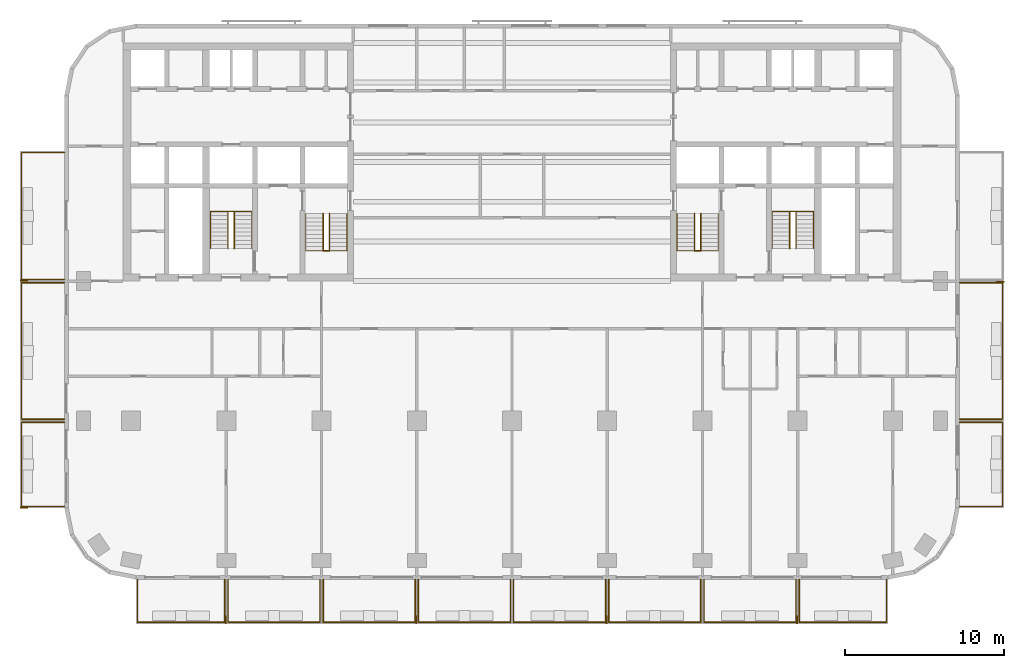
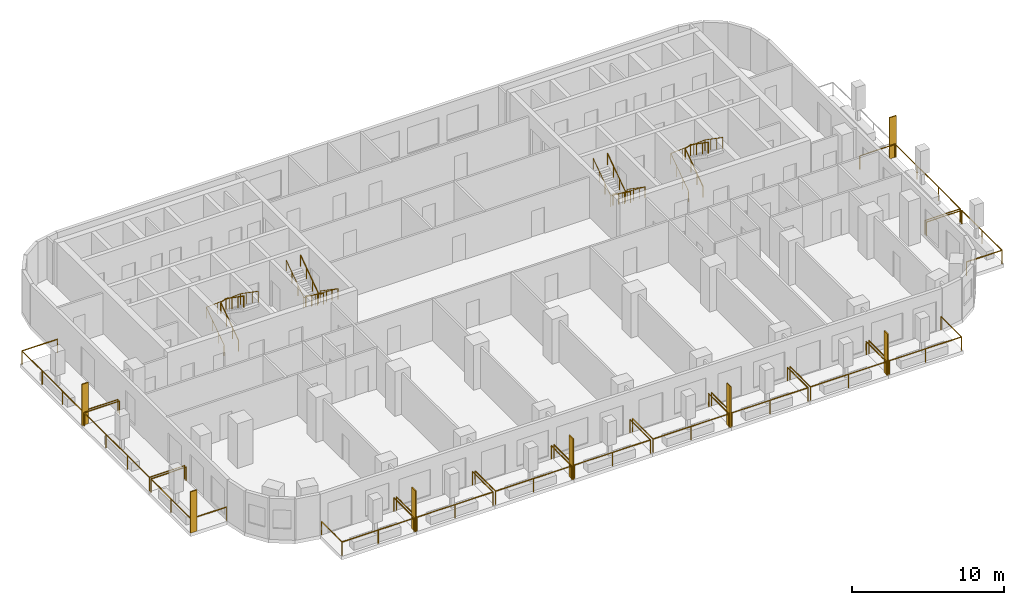
# One storey, part 10 of 12: 21 railings, 7 shading devices.
"""IFC4 building model written with IfcOpenShell, lengths in metres."""

import ifcopenshell
import ifcopenshell.guid

model = None  # the IFC model being written
_history = None  # IfcOwnerHistory: only IFC2X3 demands one
_inside = {}  # id of a spatial element -> (the spatial element, [elements in it])
_under = {}  # id of a project, library or spatial element -> (it, [spatial elements below it])
_declared = {}  # id of a project -> (the project, [libraries it declares])
_typed = {}  # id of a type object -> (the type object, [elements of that type])
_made_of = {}  # id of a material, layer set ... -> (it, [elements and type objects made of it])


def new_model(schema):
    """Start an empty IFC model of exactly this schema.

    Asked for "IFC4X3", IfcOpenShell would pick the latest addendum, in which some entities
    have other attributes; the version numbers below select the first issue.
    IFC2X3 requires an IfcOwnerHistory on every rooted entity: one is made here for all.
    """
    global model, _history
    if schema == "IFC4X3":
        model = ifcopenshell.file(schema_version=(4, 3, 0, 0))
    else:
        model = ifcopenshell.file(schema=schema)
    _inside.clear()
    _under.clear()
    _declared.clear()
    _typed.clear()
    _made_of.clear()
    _history = None
    if model.schema == "IFC2X3":
        org = make("IfcOrganization", Name="unknown")
        user = make(
            "IfcPersonAndOrganization",
            ThePerson=make("IfcPerson", FamilyName="unknown"),
            TheOrganization=org,
        )
        app = make(
            "IfcApplication",
            ApplicationDeveloper=org,
            Version="unknown",
            ApplicationFullName="unknown",
            ApplicationIdentifier="unknown",
        )
        _history = make(
            "IfcOwnerHistory",
            OwningUser=user,
            OwningApplication=app,
            ChangeAction="ADDED",
            CreationDate=0,
        )
    return model


def make(cls, **values):
    """One entity of the class cls with the attributes given. An attribute that is None is left unset."""
    return model.create_entity(
        cls, **{name: value for name, value in values.items() if value is not None}
    )


def rooted(cls, **values):
    """An entity with a GlobalId (a new one), such as an element, a storey or a relation."""
    return make(cls, GlobalId=ifcopenshell.guid.new(), OwnerHistory=_history, **values)


def si_unit(unit_type, name, prefix=None):
    """IfcSIUnit, for example si_unit("LENGTHUNIT", "METRE", prefix="MILLI")."""
    return make("IfcSIUnit", UnitType=unit_type, Prefix=prefix, Name=name)


def assignment(units):
    """IfcUnitAssignment: the units of a project."""
    return None if units is None else make("IfcUnitAssignment", Units=units)


def point(xyz):
    """IfcCartesianPoint."""
    return None if xyz is None else make("IfcCartesianPoint", Coordinates=xyz)


def direction(xyz):
    """IfcDirection."""
    return None if xyz is None else make("IfcDirection", DirectionRatios=xyz)


def frame(location, z_axis=None, x_axis=None):
    """IfcAxis2Placement3D, a coordinate frame: its origin and axes. An axis left out is left unset."""
    return make(
        "IfcAxis2Placement3D",
        Location=point(location),
        Axis=direction(z_axis),
        RefDirection=direction(x_axis),
    )


def frame_2d(location, x_axis=None):
    """IfcAxis2Placement2D, a coordinate frame in the plane: its origin and x axis."""
    return make(
        "IfcAxis2Placement2D", Location=point(location), RefDirection=direction(x_axis)
    )


def origin():
    """The frame at (0, 0, 0) with its axes left unset."""
    return frame((0.0, 0.0, 0.0))


def origin_2d():
    """The frame at (0, 0) in the plane with its x axis left unset."""
    return frame_2d((0.0, 0.0))


def place(relative_to, where):
    """IfcLocalPlacement: puts the frame where relative to a parent placement (None: the world)."""
    return make(
        "IfcLocalPlacement", PlacementRelTo=relative_to, RelativePlacement=where
    )


def context(
    kind, dimensions, precision=None, world=None, true_north=None, identifier=None
):
    """IfcGeometricRepresentationContext, for example the 3D "Model" context."""
    return make(
        "IfcGeometricRepresentationContext",
        ContextIdentifier=identifier,
        ContextType=kind,
        CoordinateSpaceDimension=dimensions,
        Precision=precision,
        WorldCoordinateSystem=world,
        TrueNorth=true_north,
    )


def subcontext(parent, identifier, kind, view, scale=None):
    """IfcGeometricRepresentationSubContext, for example "Body" below "Model"."""
    return make(
        "IfcGeometricRepresentationSubContext",
        ContextIdentifier=identifier,
        ContextType=kind,
        ParentContext=parent,
        TargetScale=scale,
        TargetView=view,
    )


def project(units=None, contexts=None):
    """IfcProject with its units and contexts."""
    return rooted(
        "IfcProject",
        Name="project",
        RepresentationContexts=contexts,
        UnitsInContext=assignment(units),
    )


def spatial(cls, under=None, at=None, **own):
    """A site, building, storey or space (cls), placed at a placement, below another one or the project."""
    s = rooted(cls, ObjectPlacement=at, **own)
    if under is not None:
        _under.setdefault(under.id(), (under, []))[1].append(s)
    return s


def profile(cls, at=None, kind="AREA", **sizes):
    """A parametric profile (cls). Its sizes go by their IFC names, for example OverallWidth=200.0."""
    return make(cls, ProfileType=kind, Position=at, **sizes)


def rectangle(**sizes):
    """IfcRectangleProfileDef."""
    return profile("IfcRectangleProfileDef", **sizes)


def circle(**sizes):
    """IfcCircleProfileDef."""
    return profile("IfcCircleProfileDef", **sizes)


def extrude(swept, where, along, depth):
    """IfcExtrudedAreaSolid: the profile swept, set in the frame where, extruded along a direction by depth."""
    return make(
        "IfcExtrudedAreaSolid",
        SweptArea=swept,
        Position=where,
        ExtrudedDirection=direction(along),
        Depth=depth,
    )


def shape(context_of_items, identifier, shape_type, items):
    """IfcShapeRepresentation: the items that make up one representation, for example the "Body"."""
    return make(
        "IfcShapeRepresentation",
        ContextOfItems=context_of_items,
        RepresentationIdentifier=identifier,
        RepresentationType=shape_type,
        Items=items,
    )


def material(Name=None, Category=None):
    """IfcMaterial."""
    return make("IfcMaterial", Name=Name, Category=Category)


def layer(
    of_material, thickness, ventilated=None, Name=None, Category=None, Priority=None
):
    """IfcMaterialLayer: one layer of a wall or slab, of a material (None: an air gap)."""
    return make(
        "IfcMaterialLayer",
        Material=of_material,
        LayerThickness=thickness,
        IsVentilated=ventilated,
        Name=Name,
        Category=Category,
        Priority=Priority,
    )


def layer_set(layers, Name=None):
    """IfcMaterialLayerSet."""
    return make("IfcMaterialLayerSet", MaterialLayers=layers, LayerSetName=Name)


def made_of(thing, what):
    """Note that an element or type object is made of a material, layer set ...; save() writes the relation."""
    if what is not None:
        _made_of.setdefault(what.id(), (what, []))[1].append(thing)
    return thing


def type_object(cls, material=None, **own):
    """A type object (cls), such as IfcWallType, which elements share."""
    return made_of(rooted(cls, **own), material)


def element(
    cls,
    number,
    at=None,
    inside=None,
    cuts=None,
    type_object=None,
    material=None,
    context=None,
    identifier="Body",
    shape_type=None,
    held_by="IfcProductDefinitionShape",
    body=None,
    shapes=None,
    **own,
):
    """One element of the class cls, such as IfcWall. Its Tag is "e" and its number.

    at: its placement. inside: the storey or other place that contains it. cuts: it is an
    opening in that element (IfcRelVoidsElement). A single representation is given by context,
    identifier, shape_type and body (its items); several are given by shapes. held_by: the class
    of the entity that holds the representations. save() writes the other relations.
    """
    e = rooted(cls, Tag="e%d" % number, ObjectPlacement=at, **own)
    if body is not None:
        shapes = [shape(context, identifier, shape_type, body)]
    if shapes is not None:
        e.Representation = make(held_by, Representations=shapes)
    if inside is not None:
        _inside.setdefault(inside.id(), (inside, []))[1].append(e)
    if cuts is not None:
        rooted(
            "IfcRelVoidsElement", RelatingBuildingElement=cuts, RelatedOpeningElement=e
        )
    if type_object is not None:
        _typed.setdefault(type_object.id(), (type_object, []))[1].append(e)
    return made_of(e, material)


def aggregate(whole, parts):
    """IfcRelAggregates: a whole, such as a stair, and the parts it consists of."""
    return rooted("IfcRelAggregates", RelatingObject=whole, RelatedObjects=parts)


def save(model, path):
    """Write the relations noted so far, then the file.

    IfcRelAggregates (storeys below a building ...), IfcRelContainedInSpatialStructure (elements
    in a storey), IfcRelDefinesByType, IfcRelAssociatesMaterial and IfcRelDeclares: one each for
    every whole, place, type object, material and project.
    """
    for whole, parts in _under.values():
        aggregate(whole, parts)
    for where, things in _inside.values():
        rooted(
            "IfcRelContainedInSpatialStructure",
            RelatedElements=things,
            RelatingStructure=where,
        )
    for kind, things in _typed.values():
        rooted("IfcRelDefinesByType", RelatedObjects=things, RelatingType=kind)
    for what, things in _made_of.values():
        rooted("IfcRelAssociatesMaterial", RelatedObjects=things, RelatingMaterial=what)
    for by, libraries in _declared.values():
        rooted("IfcRelDeclares", RelatingContext=by, RelatedDefinitions=libraries)
    model.write(path)


model = new_model("IFC4")

# Units and contexts
model_context = context("Model", 3, precision=1e-05, world=origin(), true_north=direction((0.0, 1.0)))
body_context = subcontext(model_context, "Body", "Model", "MODEL_VIEW")
ifc_project = project(units=[si_unit("LENGTHUNIT", "METRE"), si_unit("AREAUNIT", "SQUARE_METRE"), si_unit("VOLUMEUNIT", "CUBIC_METRE"), si_unit("PLANEANGLEUNIT", "RADIAN"), si_unit("MASSUNIT", "GRAM", prefix="KILO")], contexts=[model_context])

# Site, building, storey
site_placement = place(None, origin())
site = spatial("IfcSite", under=ifc_project, at=site_placement, CompositionType="ELEMENT")
building_placement = place(site_placement, origin())
building = spatial("IfcBuilding", under=site, at=building_placement, Name="Torana Hotel and Residences", CompositionType="ELEMENT")
storey_placement = place(building_placement, frame((0.0, 0.0, 159.60009765625)))
storey = spatial("IfcBuildingStorey", under=building, at=storey_placement, Name="L41", CompositionType="ELEMENT", Elevation=159.60009765625)

# Shading devices
ifc_material_1 = material(Name="Black powder coated aluminium", Category="aluminium")
ifc_layer = layer(ifc_material_1, 0.080078125)
ifc_layer_set = layer_set([ifc_layer], Name="FN1 VERTICAL FIN 500x80")
shading_device_type = type_object("IfcShadingDeviceType", Name="FN1 VERTICAL FIN 500x80", PredefinedType="USERDEFINED", material=ifc_layer_set)
for number, where, z_axis, x_axis, name in (
    (1, (-18.0400390625, -36.35009765625, 0.0), (0.0, 0.0, 1.0), (-1.0, 0.0, 0.0), "Fin 01"),
    (2, (-6.0400390625, -36.35009765625, 0.0), (0.0, 0.0, 1.0), (-1.0, 0.0, 0.0), "Fin 03"),
    (3, (5.9599609375, -36.35009765625, 0.0), (0.0, 0.0, 1.0), (-1.0, 0.0, 0.0), "Fin 05"),
    (4, (17.9599609375, -36.35009765625, 0.0), (0.0, 0.0, 1.0), (-1.0, 0.0, 0.0), "Fin 07"),
    (5, (-30.75, -29.260009765625, 0.0), (0.0, 0.0, 1.0), (0.0, 1.0, 0.0), "Fin 09"),
    (6, (-30.75, -14.9599609375, 0.0), (0.0, 0.0, 1.0), (0.0, 1.0, 0.0), "Fin 11"),
    (7, (30.75, -15.0400390625, 0.0), (0.0, 0.0, 1.0), (0.0, -1.0, 0.0), "Fin 13"),
):
    element("IfcShadingDevice", number, at=place(storey_placement, frame(where, z_axis=z_axis, x_axis=x_axis)), inside=storey, type_object=shading_device_type, Name=name, ObjectType="FIN", PredefinedType="USERDEFINED", context=body_context, shape_type="SweptSolid", body=[
        extrude(rectangle(XDim=0.080078125, YDim=0.5, at=origin_2d()), origin(), (0.0, 0.0, 1.0), 3.320068359375),
    ])

# Railings
ifc_material_2 = material(Name="Laminated glass balustrade with black handrail", Category="glass")
railing_type_1 = type_object("IfcRailingType", Name="GR1 BALCONY GUARD 1100 GLASS", PredefinedType="GUARDRAIL", material=ifc_material_2)
railing_1_placement = place(storey_placement, frame((-18.10009765625, -33.800048828125, 0.0)))
element("IfcRailing", 8, at=railing_1_placement, inside=storey, type_object=railing_type_1, Name="Balcony guard 01", PredefinedType="GUARDRAIL", context=body_context, shape_type="SweptSolid", body=[
    extrude(circle(Radius=0.02392578125, at=origin_2d()), frame((0.0, 0.0, 1.076171875), z_axis=(0.0, -1.0, 0.0), x_axis=(1.0, 0.0, 0.0)), (0.0, 0.0, 1.0), 2.699951171875),
    extrude(circle(Radius=0.02392578125, at=origin_2d()), frame((0.0, -2.699951171875, 1.076171875), z_axis=(-1.0, 0.0, 0.0), x_axis=(0.0, -1.0, 0.0)), (0.0, 0.0, 1.0), 5.5),
    extrude(circle(Radius=0.02392578125, at=origin_2d()), frame((-5.5, -2.699951171875, 1.076171875), z_axis=(0.0, 1.0, 0.0), x_axis=(-1.0, 0.0, 0.0)), (0.0, 0.0, 1.0), 2.699951171875),
    extrude(circle(Radius=0.02099609375, at=origin_2d()), origin(), (0.0, 0.0, 1.0), 1.052001953125),
    extrude(circle(Radius=0.02099609375, at=origin_2d()), frame((0.0, -2.699951171875, 0.0)), (0.0, 0.0, 1.0), 1.052001953125),
    extrude(circle(Radius=0.02099609375, at=origin_2d()), frame((-2.75, -2.699951171875, 0.0)), (0.0, 0.0, 1.0), 1.052001953125),
    extrude(circle(Radius=0.02099609375, at=origin_2d()), frame((-5.5, -2.699951171875, 0.0)), (0.0, 0.0, 1.0), 1.052001953125),
    extrude(circle(Radius=0.02099609375, at=origin_2d()), frame((-5.5, 0.0, 0.0)), (0.0, 0.0, 1.0), 1.052001953125),
])
for number, where, name in (
    (9, (-12.10009765625, -33.800048828125, 0.0), "Balcony guard 02"),
    (10, (-6.10009765625, -33.800048828125, 0.0), "Balcony guard 03"),
    (11, (-0.10009765625, -33.800048828125, 0.0), "Balcony guard 04"),
    (12, (5.89990234375, -33.800048828125, 0.0), "Balcony guard 05"),
    (13, (11.89990234375, -33.800048828125, 0.0), "Balcony guard 06"),
    (14, (17.89990234375, -33.800048828125, 0.0), "Balcony guard 07"),
):
    element("IfcRailing", number, at=place(storey_placement, frame(where)), inside=storey, type_object=railing_type_1, Name=name, PredefinedType="GUARDRAIL", context=body_context, shape_type="SweptSolid", body=[
        extrude(circle(Radius=0.02392578125, at=origin_2d()), frame((0.0, 0.0, 1.076171875), z_axis=(0.0, -1.0, 0.0), x_axis=(1.0, 0.0, 0.0)), (0.0, 0.0, 1.0), 2.699951171875),
        extrude(circle(Radius=0.02392578125, at=origin_2d()), frame((0.0, -2.699951171875, 1.076171875), z_axis=(-1.0, 0.0, 0.0), x_axis=(0.0, -1.0, 0.0)), (0.0, 0.0, 1.0), 5.7998046875),
        extrude(circle(Radius=0.02392578125, at=origin_2d()), frame((-5.7998046875, -2.699951171875, 1.076171875), z_axis=(0.0, 1.0, 0.0), x_axis=(-1.0, 0.0, 0.0)), (0.0, 0.0, 1.0), 2.699951171875),
        extrude(circle(Radius=0.02099609375, at=origin_2d()), origin(), (0.0, 0.0, 1.0), 1.052001953125),
        extrude(circle(Radius=0.02099609375, at=origin_2d()), frame((0.0, -2.699951171875, 0.0)), (0.0, 0.0, 1.0), 1.052001953125),
        extrude(circle(Radius=0.02099609375, at=origin_2d()), frame((-2.89990234375, -2.699951171875, 0.0)), (0.0, 0.0, 1.0), 1.052001953125),
        extrude(circle(Radius=0.02099609375, at=origin_2d()), frame((-5.7998046875, -2.699951171875, 0.0)), (0.0, 0.0, 1.0), 1.052001953125),
        extrude(circle(Radius=0.02099609375, at=origin_2d()), frame((-5.7998046875, 0.0, 0.0)), (0.0, 0.0, 1.0), 1.052001953125),
    ])
railing_2_placement = place(storey_placement, frame((23.60009765625, -33.800048828125, 0.0)))
element("IfcRailing", 15, at=railing_2_placement, inside=storey, type_object=railing_type_1, Name="Balcony guard 08", PredefinedType="GUARDRAIL", context=body_context, shape_type="SweptSolid", body=[
    extrude(circle(Radius=0.02392578125, at=origin_2d()), frame((0.0, 0.0, 1.076171875), z_axis=(0.0, -1.0, 0.0), x_axis=(1.0, 0.0, 0.0)), (0.0, 0.0, 1.0), 2.699951171875),
    extrude(circle(Radius=0.02392578125, at=origin_2d()), frame((0.0, -2.699951171875, 1.076171875), z_axis=(-1.0, 0.0, 0.0), x_axis=(0.0, -1.0, 0.0)), (0.0, 0.0, 1.0), 5.5),
    extrude(circle(Radius=0.02392578125, at=origin_2d()), frame((-5.5, -2.699951171875, 1.076171875), z_axis=(0.0, 1.0, 0.0), x_axis=(-1.0, 0.0, 0.0)), (0.0, 0.0, 1.0), 2.699951171875),
    extrude(circle(Radius=0.02099609375, at=origin_2d()), origin(), (0.0, 0.0, 1.0), 1.052001953125),
    extrude(circle(Radius=0.02099609375, at=origin_2d()), frame((0.0, -2.699951171875, 0.0)), (0.0, 0.0, 1.0), 1.052001953125),
    extrude(circle(Radius=0.02099609375, at=origin_2d()), frame((-2.75, -2.699951171875, 0.0)), (0.0, 0.0, 1.0), 1.052001953125),
    extrude(circle(Radius=0.02099609375, at=origin_2d()), frame((-5.5, -2.699951171875, 0.0)), (0.0, 0.0, 1.0), 1.052001953125),
    extrude(circle(Radius=0.02099609375, at=origin_2d()), frame((-5.5, 0.0, 0.0)), (0.0, 0.0, 1.0), 1.052001953125),
])
railing_3_placement = place(storey_placement, frame((-28.199951171875, -29.199951171875, 0.0)))
element("IfcRailing", 16, at=railing_3_placement, inside=storey, type_object=railing_type_1, Name="Balcony guard 09", PredefinedType="GUARDRAIL", context=body_context, shape_type="SweptSolid", body=[
    extrude(circle(Radius=0.02392578125, at=origin_2d()), frame((0.0, 0.0, 1.076171875), z_axis=(-1.0, 0.0, 0.0), x_axis=(0.0, -1.0, 0.0)), (0.0, 0.0, 1.0), 2.699951171875),
    extrude(circle(Radius=0.02392578125, at=origin_2d()), frame((-2.699951171875, 0.0, 1.076171875), z_axis=(0.0, 1.0, 0.0), x_axis=(-1.0, 0.0, 0.0)), (0.0, 0.0, 1.0), 5.300048828125),
    extrude(circle(Radius=0.02392578125, at=origin_2d()), frame((-2.699951171875, 5.300048828125, 1.076171875), z_axis=(1.0, 0.0, 0.0), x_axis=(0.0, 1.0, 0.0)), (0.0, 0.0, 1.0), 2.699951171875),
    extrude(circle(Radius=0.02099609375, at=origin_2d()), origin(), (0.0, 0.0, 1.0), 1.052001953125),
    extrude(circle(Radius=0.02099609375, at=origin_2d()), frame((-2.699951171875, 0.0, 0.0)), (0.0, 0.0, 1.0), 1.052001953125),
    extrude(circle(Radius=0.02099609375, at=origin_2d()), frame((-2.699951171875, 2.64990234375, 0.0)), (0.0, 0.0, 1.0), 1.052001953125),
    extrude(circle(Radius=0.02099609375, at=origin_2d()), frame((-2.699951171875, 5.300048828125, 0.0)), (0.0, 0.0, 1.0), 1.052001953125),
    extrude(circle(Radius=0.02099609375, at=origin_2d()), frame((0.0, 5.300048828125, 0.0)), (0.0, 0.0, 1.0), 1.052001953125),
])
railing_4_placement = place(storey_placement, frame((-28.199951171875, -23.699951171875, 0.0)))
element("IfcRailing", 17, at=railing_4_placement, inside=storey, type_object=railing_type_1, Name="Balcony guard 10", PredefinedType="GUARDRAIL", context=body_context, shape_type="SweptSolid", body=[
    extrude(circle(Radius=0.02392578125, at=origin_2d()), frame((0.0, 0.0, 1.076171875), z_axis=(-1.0, 0.0, 0.0), x_axis=(0.0, -1.0, 0.0)), (0.0, 0.0, 1.0), 2.699951171875),
    extrude(circle(Radius=0.02392578125, at=origin_2d()), frame((-2.699951171875, 0.0, 1.076171875), z_axis=(0.0, 1.0, 0.0), x_axis=(-1.0, 0.0, 0.0)), (0.0, 0.0, 1.0), 8.599853515625),
    extrude(circle(Radius=0.02392578125, at=origin_2d()), frame((-2.699951171875, 8.599853515625, 1.076171875), z_axis=(1.0, 0.0, 0.0), x_axis=(0.0, 1.0, 0.0)), (0.0, 0.0, 1.0), 2.699951171875),
    extrude(circle(Radius=0.02099609375, at=origin_2d()), origin(), (0.0, 0.0, 1.0), 1.052001953125),
    extrude(circle(Radius=0.02099609375, at=origin_2d()), frame((-2.699951171875, 0.0, 0.0)), (0.0, 0.0, 1.0), 1.052001953125),
    extrude(circle(Radius=0.02099609375, at=origin_2d()), frame((-2.699951171875, 2.86669921875, 0.0)), (0.0, 0.0, 1.0), 1.052001953125),
    extrude(circle(Radius=0.02099609375, at=origin_2d()), frame((-2.699951171875, 5.733154296875, 0.0)), (0.0, 0.0, 1.0), 1.052001953125),
    extrude(circle(Radius=0.02099609375, at=origin_2d()), frame((-2.699951171875, 8.599853515625, 0.0)), (0.0, 0.0, 1.0), 1.052001953125),
    extrude(circle(Radius=0.02099609375, at=origin_2d()), frame((0.0, 8.599853515625, 0.0)), (0.0, 0.0, 1.0), 1.052001953125),
])
railing_5_placement = place(storey_placement, frame((-28.199951171875, -14.89990234375, 0.0)))
element("IfcRailing", 18, at=railing_5_placement, inside=storey, type_object=railing_type_1, Name="Balcony guard 11", PredefinedType="GUARDRAIL", context=body_context, shape_type="SweptSolid", body=[
    extrude(circle(Radius=0.02392578125, at=origin_2d()), frame((0.0, 0.0, 1.076171875), z_axis=(-1.0, 0.0, 0.0), x_axis=(0.0, -1.0, 0.0)), (0.0, 0.0, 1.0), 2.699951171875),
    extrude(circle(Radius=0.02392578125, at=origin_2d()), frame((-2.699951171875, 0.0, 1.076171875), z_axis=(0.0, 1.0, 0.0), x_axis=(-1.0, 0.0, 0.0)), (0.0, 0.0, 1.0), 8.0),
    extrude(circle(Radius=0.02392578125, at=origin_2d()), frame((-2.699951171875, 8.0, 1.076171875), z_axis=(1.0, 0.0, 0.0), x_axis=(0.0, 1.0, 0.0)), (0.0, 0.0, 1.0), 2.699951171875),
    extrude(circle(Radius=0.02099609375, at=origin_2d()), origin(), (0.0, 0.0, 1.0), 1.052001953125),
    extrude(circle(Radius=0.02099609375, at=origin_2d()), frame((-2.699951171875, 0.0, 0.0)), (0.0, 0.0, 1.0), 1.052001953125),
    extrude(circle(Radius=0.02099609375, at=origin_2d()), frame((-2.699951171875, 2.666748046875, 0.0)), (0.0, 0.0, 1.0), 1.052001953125),
    extrude(circle(Radius=0.02099609375, at=origin_2d()), frame((-2.699951171875, 5.333251953125, 0.0)), (0.0, 0.0, 1.0), 1.052001953125),
    extrude(circle(Radius=0.02099609375, at=origin_2d()), frame((-2.699951171875, 8.0, 0.0)), (0.0, 0.0, 1.0), 1.052001953125),
    extrude(circle(Radius=0.02099609375, at=origin_2d()), frame((0.0, 8.0, 0.0)), (0.0, 0.0, 1.0), 1.052001953125),
])
railing_6_placement = place(storey_placement, frame((28.199951171875, -23.89990234375, 0.0)))
element("IfcRailing", 19, at=railing_6_placement, inside=storey, type_object=railing_type_1, Name="Balcony guard 12", PredefinedType="GUARDRAIL", context=body_context, shape_type="SweptSolid", body=[
    extrude(circle(Radius=0.02392578125, at=origin_2d()), frame((0.0, 0.0, 1.076171875), z_axis=(1.0, 0.0, 0.0), x_axis=(0.0, 1.0, 0.0)), (0.0, 0.0, 1.0), 2.699951171875),
    extrude(circle(Radius=0.02392578125, at=origin_2d()), frame((2.699951171875, 0.0, 1.076171875), z_axis=(0.0, -1.0, 0.0), x_axis=(1.0, 0.0, 0.0)), (0.0, 0.0, 1.0), 5.300048828125),
    extrude(circle(Radius=0.02392578125, at=origin_2d()), frame((2.699951171875, -5.300048828125, 1.076171875), z_axis=(-1.0, 0.0, 0.0), x_axis=(0.0, -1.0, 0.0)), (0.0, 0.0, 1.0), 2.699951171875),
    extrude(circle(Radius=0.02099609375, at=origin_2d()), origin(), (0.0, 0.0, 1.0), 1.052001953125),
    extrude(circle(Radius=0.02099609375, at=origin_2d()), frame((2.699951171875, 0.0, 0.0)), (0.0, 0.0, 1.0), 1.052001953125),
    extrude(circle(Radius=0.02099609375, at=origin_2d()), frame((2.699951171875, -2.64990234375, 0.0)), (0.0, 0.0, 1.0), 1.052001953125),
    extrude(circle(Radius=0.02099609375, at=origin_2d()), frame((2.699951171875, -5.300048828125, 0.0)), (0.0, 0.0, 1.0), 1.052001953125),
    extrude(circle(Radius=0.02099609375, at=origin_2d()), frame((0.0, -5.300048828125, 0.0)), (0.0, 0.0, 1.0), 1.052001953125),
])
railing_7_placement = place(storey_placement, frame((28.199951171875, -15.10009765625, 0.0)))
element("IfcRailing", 20, at=railing_7_placement, inside=storey, type_object=railing_type_1, Name="Balcony guard 13", PredefinedType="GUARDRAIL", context=body_context, shape_type="SweptSolid", body=[
    extrude(circle(Radius=0.02392578125, at=origin_2d()), frame((0.0, 0.0, 1.076171875), z_axis=(1.0, 0.0, 0.0), x_axis=(0.0, 1.0, 0.0)), (0.0, 0.0, 1.0), 2.699951171875),
    extrude(circle(Radius=0.02392578125, at=origin_2d()), frame((2.699951171875, 0.0, 1.076171875), z_axis=(0.0, -1.0, 0.0), x_axis=(1.0, 0.0, 0.0)), (0.0, 0.0, 1.0), 8.599853515625),
    extrude(circle(Radius=0.02392578125, at=origin_2d()), frame((2.699951171875, -8.599853515625, 1.076171875), z_axis=(-1.0, 0.0, 0.0), x_axis=(0.0, -1.0, 0.0)), (0.0, 0.0, 1.0), 2.699951171875),
    extrude(circle(Radius=0.02099609375, at=origin_2d()), origin(), (0.0, 0.0, 1.0), 1.052001953125),
    extrude(circle(Radius=0.02099609375, at=origin_2d()), frame((2.699951171875, 0.0, 0.0)), (0.0, 0.0, 1.0), 1.052001953125),
    extrude(circle(Radius=0.02099609375, at=origin_2d()), frame((2.699951171875, -2.86669921875, 0.0)), (0.0, 0.0, 1.0), 1.052001953125),
    extrude(circle(Radius=0.02099609375, at=origin_2d()), frame((2.699951171875, -5.733154296875, 0.0)), (0.0, 0.0, 1.0), 1.052001953125),
    extrude(circle(Radius=0.02099609375, at=origin_2d()), frame((2.699951171875, -8.599853515625, 0.0)), (0.0, 0.0, 1.0), 1.052001953125),
    extrude(circle(Radius=0.02099609375, at=origin_2d()), frame((0.0, -8.599853515625, 0.0)), (0.0, 0.0, 1.0), 1.052001953125),
])
ifc_material_3 = material(Name="Stainless steel 316", Category="steel")
railing_type_2 = type_object("IfcRailingType", Name="STAIR HANDRAIL HR1 900", PredefinedType="HANDRAIL", material=ifc_material_3)
railing_8_placement = place(storey_placement, frame((-10.39990234375, -10.75, 0.179931640625)))
element("IfcRailing", 21, at=railing_8_placement, inside=storey, type_object=railing_type_2, Name="Handrail ST1 L41 O1", PredefinedType="HANDRAIL", context=body_context, shape_type="SweptSolid", body=[
    extrude(circle(Radius=0.02392578125, at=origin_2d()), frame((0.0, 0.0, 0.8759765625), z_axis=(0.0, -0.822223072051, 0.569165371211), x_axis=(1.0, 0.0, 0.0)), (0.0, 0.0, 1.0), 2.845947265625),
    extrude(circle(Radius=0.02392578125, at=origin_2d()), frame((0.0, -2.340087890625, 2.49560546875), z_axis=(-0.997607660209, 0.0, 0.069129995609), x_axis=(0.0, -1.0, 0.0)), (0.0, 0.0, 1.0), 2.6064453125),
    extrude(circle(Radius=0.02392578125, at=origin_2d()), frame((-2.60009765625, -2.340087890625, 2.67578125), z_axis=(0.0, 0.822223072051, 0.569165371211), x_axis=(-1.0, 0.0, 0.0)), (0.0, 0.0, 1.0), 2.845947265625),
    extrude(circle(Radius=0.02099609375, at=origin_2d()), origin(), (0.0, 0.0, 1.0), 0.851806640625),
    extrude(circle(Radius=0.02099609375, at=origin_2d()), frame((0.0, -0.780029296875, 0.5400390625)), (0.0, 0.0, 1.0), 0.851806640625),
    extrude(circle(Radius=0.02099609375, at=origin_2d()), frame((0.0, -1.56005859375, 1.079833984375)), (0.0, 0.0, 1.0), 0.851806640625),
    extrude(circle(Radius=0.02099609375, at=origin_2d()), frame((0.0, -2.340087890625, 1.619873046875)), (0.0, 0.0, 1.0), 0.851806640625),
    extrude(circle(Radius=0.02099609375, at=origin_2d()), frame((-0.86669921875, -2.340087890625, 1.679931640625)), (0.0, 0.0, 1.0), 0.851806640625),
    extrude(circle(Radius=0.02099609375, at=origin_2d()), frame((-1.7333984375, -2.340087890625, 1.739990234375)), (0.0, 0.0, 1.0), 0.851806640625),
    extrude(circle(Radius=0.02099609375, at=origin_2d()), frame((-2.60009765625, -2.340087890625, 1.800048828125)), (0.0, 0.0, 1.0), 0.851806640625),
    extrude(circle(Radius=0.02099609375, at=origin_2d()), frame((-2.60009765625, -1.56005859375, 2.340087890625)), (0.0, 0.0, 1.0), 0.851806640625),
    extrude(circle(Radius=0.02099609375, at=origin_2d()), frame((-2.60009765625, -0.780029296875, 2.8798828125)), (0.0, 0.0, 1.0), 0.851806640625),
    extrude(circle(Radius=0.02099609375, at=origin_2d()), frame((-2.60009765625, 0.0, 3.419921875)), (0.0, 0.0, 1.0), 0.851806640625),
])
railing_9_placement = place(storey_placement, frame((-11.5, -10.75, 0.179931640625)))
element("IfcRailing", 22, at=railing_9_placement, inside=storey, type_object=railing_type_2, Name="Handrail ST1 L41 I1", PredefinedType="HANDRAIL", context=body_context, shape_type="SweptSolid", body=[
    extrude(circle(Radius=0.02392578125, at=origin_2d()), frame((0.0, 0.0, 0.8759765625), z_axis=(0.0, -0.822223072051, 0.569165371211), x_axis=(1.0, 0.0, 0.0)), (0.0, 0.0, 1.0), 2.845947265625),
    extrude(circle(Radius=0.02392578125, at=origin_2d()), frame((0.0, -2.340087890625, 2.49560546875), z_axis=(-0.911733943306, 0.0, 0.410781227204), x_axis=(0.0, -1.0, 0.0)), (0.0, 0.0, 1.0), 0.438720703125),
    extrude(circle(Radius=0.02392578125, at=origin_2d()), frame((-0.39990234375, -2.340087890625, 2.67578125), z_axis=(0.0, 0.822223072051, 0.569165371211), x_axis=(-1.0, 0.0, 0.0)), (0.0, 0.0, 1.0), 2.845947265625),
    extrude(circle(Radius=0.02099609375, at=origin_2d()), origin(), (0.0, 0.0, 1.0), 0.851806640625),
    extrude(circle(Radius=0.02099609375, at=origin_2d()), frame((0.0, -0.780029296875, 0.5400390625)), (0.0, 0.0, 1.0), 0.851806640625),
    extrude(circle(Radius=0.02099609375, at=origin_2d()), frame((0.0, -1.56005859375, 1.079833984375)), (0.0, 0.0, 1.0), 0.851806640625),
    extrude(circle(Radius=0.02099609375, at=origin_2d()), frame((0.0, -2.340087890625, 1.619873046875)), (0.0, 0.0, 1.0), 0.851806640625),
    extrude(circle(Radius=0.02099609375, at=origin_2d()), frame((-0.39990234375, -2.340087890625, 1.800048828125)), (0.0, 0.0, 1.0), 0.851806640625),
    extrude(circle(Radius=0.02099609375, at=origin_2d()), frame((-0.39990234375, -1.56005859375, 2.340087890625)), (0.0, 0.0, 1.0), 0.851806640625),
    extrude(circle(Radius=0.02099609375, at=origin_2d()), frame((-0.39990234375, -0.780029296875, 2.8798828125)), (0.0, 0.0, 1.0), 0.851806640625),
    extrude(circle(Radius=0.02099609375, at=origin_2d()), frame((-0.39990234375, 0.0, 3.419921875)), (0.0, 0.0, 1.0), 0.851806640625),
])
railing_10_placement = place(storey_placement, frame((-19.0, -12.949951171875, 0.179931640625)))
element("IfcRailing", 23, at=railing_10_placement, inside=storey, type_object=railing_type_2, Name="Handrail ST2 L41 O1", PredefinedType="HANDRAIL", context=body_context, shape_type="SweptSolid", body=[
    extrude(circle(Radius=0.02392578125, at=origin_2d()), frame((0.0, 0.0, 0.8759765625), z_axis=(0.0, 0.822195280011, 0.569205517829), x_axis=(-1.0, 0.0, 0.0)), (0.0, 0.0, 1.0), 2.845947265625),
    extrude(circle(Radius=0.02392578125, at=origin_2d()), frame((0.0, 2.33984375, 2.49560546875), z_axis=(0.997607660209, 0.0, 0.069129995609), x_axis=(0.0, 1.0, 0.0)), (0.0, 0.0, 1.0), 2.6064453125),
    extrude(circle(Radius=0.02392578125, at=origin_2d()), frame((2.60009765625, 2.33984375, 2.67578125), z_axis=(0.0, -0.822195280011, 0.569205517829), x_axis=(1.0, 0.0, 0.0)), (0.0, 0.0, 1.0), 2.845947265625),
    extrude(circle(Radius=0.02099609375, at=origin_2d()), origin(), (0.0, 0.0, 1.0), 0.851806640625),
    extrude(circle(Radius=0.02099609375, at=origin_2d()), frame((0.0, 0.780029296875, 0.5400390625)), (0.0, 0.0, 1.0), 0.851806640625),
    extrude(circle(Radius=0.02099609375, at=origin_2d()), frame((0.0, 1.559814453125, 1.079833984375)), (0.0, 0.0, 1.0), 0.851806640625),
    extrude(circle(Radius=0.02099609375, at=origin_2d()), frame((0.0, 2.33984375, 1.619873046875)), (0.0, 0.0, 1.0), 0.851806640625),
    extrude(circle(Radius=0.02099609375, at=origin_2d()), frame((0.86669921875, 2.33984375, 1.679931640625)), (0.0, 0.0, 1.0), 0.851806640625),
    extrude(circle(Radius=0.02099609375, at=origin_2d()), frame((1.7333984375, 2.33984375, 1.739990234375)), (0.0, 0.0, 1.0), 0.851806640625),
    extrude(circle(Radius=0.02099609375, at=origin_2d()), frame((2.60009765625, 2.33984375, 1.800048828125)), (0.0, 0.0, 1.0), 0.851806640625),
    extrude(circle(Radius=0.02099609375, at=origin_2d()), frame((2.60009765625, 1.559814453125, 2.340087890625)), (0.0, 0.0, 1.0), 0.851806640625),
    extrude(circle(Radius=0.02099609375, at=origin_2d()), frame((2.60009765625, 0.780029296875, 2.8798828125)), (0.0, 0.0, 1.0), 0.851806640625),
    extrude(circle(Radius=0.02099609375, at=origin_2d()), frame((2.60009765625, 0.0, 3.419921875)), (0.0, 0.0, 1.0), 0.851806640625),
])
railing_11_placement = place(storey_placement, frame((-17.89990234375, -12.949951171875, 0.179931640625)))
element("IfcRailing", 24, at=railing_11_placement, inside=storey, type_object=railing_type_2, Name="Handrail ST2 L41 I1", PredefinedType="HANDRAIL", context=body_context, shape_type="SweptSolid", body=[
    extrude(circle(Radius=0.02392578125, at=origin_2d()), frame((0.0, 0.0, 0.8759765625), z_axis=(0.0, 0.822195280011, 0.569205517829), x_axis=(-1.0, 0.0, 0.0)), (0.0, 0.0, 1.0), 2.845947265625),
    extrude(circle(Radius=0.02392578125, at=origin_2d()), frame((0.0, 2.33984375, 2.49560546875), z_axis=(0.911733943306, 0.0, 0.410781227204), x_axis=(0.0, 1.0, 0.0)), (0.0, 0.0, 1.0), 0.438720703125),
    extrude(circle(Radius=0.02392578125, at=origin_2d()), frame((0.39990234375, 2.33984375, 2.67578125), z_axis=(0.0, -0.822195280011, 0.569205517829), x_axis=(1.0, 0.0, 0.0)), (0.0, 0.0, 1.0), 2.845947265625),
    extrude(circle(Radius=0.02099609375, at=origin_2d()), origin(), (0.0, 0.0, 1.0), 0.851806640625),
    extrude(circle(Radius=0.02099609375, at=origin_2d()), frame((0.0, 0.780029296875, 0.5400390625)), (0.0, 0.0, 1.0), 0.851806640625),
    extrude(circle(Radius=0.02099609375, at=origin_2d()), frame((0.0, 1.559814453125, 1.079833984375)), (0.0, 0.0, 1.0), 0.851806640625),
    extrude(circle(Radius=0.02099609375, at=origin_2d()), frame((0.0, 2.33984375, 1.619873046875)), (0.0, 0.0, 1.0), 0.851806640625),
    extrude(circle(Radius=0.02099609375, at=origin_2d()), frame((0.39990234375, 2.33984375, 1.800048828125)), (0.0, 0.0, 1.0), 0.851806640625),
    extrude(circle(Radius=0.02099609375, at=origin_2d()), frame((0.39990234375, 1.559814453125, 2.340087890625)), (0.0, 0.0, 1.0), 0.851806640625),
    extrude(circle(Radius=0.02099609375, at=origin_2d()), frame((0.39990234375, 0.780029296875, 2.8798828125)), (0.0, 0.0, 1.0), 0.851806640625),
    extrude(circle(Radius=0.02099609375, at=origin_2d()), frame((0.39990234375, 0.0, 3.419921875)), (0.0, 0.0, 1.0), 0.851806640625),
])
railing_12_placement = place(storey_placement, frame((13.0, -10.75, 0.179931640625)))
element("IfcRailing", 25, at=railing_12_placement, inside=storey, type_object=railing_type_2, Name="Handrail ST3 L41 O1", PredefinedType="HANDRAIL", context=body_context, shape_type="SweptSolid", body=[
    extrude(circle(Radius=0.02392578125, at=origin_2d()), frame((0.0, 0.0, 0.8759765625), z_axis=(0.0, -0.822223072051, 0.569165371211), x_axis=(1.0, 0.0, 0.0)), (0.0, 0.0, 1.0), 2.845947265625),
    extrude(circle(Radius=0.02392578125, at=origin_2d()), frame((0.0, -2.340087890625, 2.49560546875), z_axis=(-0.997607660209, 0.0, 0.069129995609), x_axis=(0.0, -1.0, 0.0)), (0.0, 0.0, 1.0), 2.6064453125),
    extrude(circle(Radius=0.02392578125, at=origin_2d()), frame((-2.60009765625, -2.340087890625, 2.67578125), z_axis=(0.0, 0.822223072051, 0.569165371211), x_axis=(-1.0, 0.0, 0.0)), (0.0, 0.0, 1.0), 2.845947265625),
    extrude(circle(Radius=0.02099609375, at=origin_2d()), origin(), (0.0, 0.0, 1.0), 0.851806640625),
    extrude(circle(Radius=0.02099609375, at=origin_2d()), frame((0.0, -0.780029296875, 0.5400390625)), (0.0, 0.0, 1.0), 0.851806640625),
    extrude(circle(Radius=0.02099609375, at=origin_2d()), frame((0.0, -1.56005859375, 1.079833984375)), (0.0, 0.0, 1.0), 0.851806640625),
    extrude(circle(Radius=0.02099609375, at=origin_2d()), frame((0.0, -2.340087890625, 1.619873046875)), (0.0, 0.0, 1.0), 0.851806640625),
    extrude(circle(Radius=0.02099609375, at=origin_2d()), frame((-0.86669921875, -2.340087890625, 1.679931640625)), (0.0, 0.0, 1.0), 0.851806640625),
    extrude(circle(Radius=0.02099609375, at=origin_2d()), frame((-1.7333984375, -2.340087890625, 1.739990234375)), (0.0, 0.0, 1.0), 0.851806640625),
    extrude(circle(Radius=0.02099609375, at=origin_2d()), frame((-2.60009765625, -2.340087890625, 1.800048828125)), (0.0, 0.0, 1.0), 0.851806640625),
    extrude(circle(Radius=0.02099609375, at=origin_2d()), frame((-2.60009765625, -1.56005859375, 2.340087890625)), (0.0, 0.0, 1.0), 0.851806640625),
    extrude(circle(Radius=0.02099609375, at=origin_2d()), frame((-2.60009765625, -0.780029296875, 2.8798828125)), (0.0, 0.0, 1.0), 0.851806640625),
    extrude(circle(Radius=0.02099609375, at=origin_2d()), frame((-2.60009765625, 0.0, 3.419921875)), (0.0, 0.0, 1.0), 0.851806640625),
])
railing_13_placement = place(storey_placement, frame((11.89990234375, -10.75, 0.179931640625)))
element("IfcRailing", 26, at=railing_13_placement, inside=storey, type_object=railing_type_2, Name="Handrail ST3 L41 I1", PredefinedType="HANDRAIL", context=body_context, shape_type="SweptSolid", body=[
    extrude(circle(Radius=0.02392578125, at=origin_2d()), frame((0.0, 0.0, 0.8759765625), z_axis=(0.0, -0.822223072051, 0.569165371211), x_axis=(1.0, 0.0, 0.0)), (0.0, 0.0, 1.0), 2.845947265625),
    extrude(circle(Radius=0.02392578125, at=origin_2d()), frame((0.0, -2.340087890625, 2.49560546875), z_axis=(-0.911733943306, 0.0, 0.410781227204), x_axis=(0.0, -1.0, 0.0)), (0.0, 0.0, 1.0), 0.438720703125),
    extrude(circle(Radius=0.02392578125, at=origin_2d()), frame((-0.39990234375, -2.340087890625, 2.67578125), z_axis=(0.0, 0.822223072051, 0.569165371211), x_axis=(-1.0, 0.0, 0.0)), (0.0, 0.0, 1.0), 2.845947265625),
    extrude(circle(Radius=0.02099609375, at=origin_2d()), origin(), (0.0, 0.0, 1.0), 0.851806640625),
    extrude(circle(Radius=0.02099609375, at=origin_2d()), frame((0.0, -0.780029296875, 0.5400390625)), (0.0, 0.0, 1.0), 0.851806640625),
    extrude(circle(Radius=0.02099609375, at=origin_2d()), frame((0.0, -1.56005859375, 1.079833984375)), (0.0, 0.0, 1.0), 0.851806640625),
    extrude(circle(Radius=0.02099609375, at=origin_2d()), frame((0.0, -2.340087890625, 1.619873046875)), (0.0, 0.0, 1.0), 0.851806640625),
    extrude(circle(Radius=0.02099609375, at=origin_2d()), frame((-0.39990234375, -2.340087890625, 1.800048828125)), (0.0, 0.0, 1.0), 0.851806640625),
    extrude(circle(Radius=0.02099609375, at=origin_2d()), frame((-0.39990234375, -1.56005859375, 2.340087890625)), (0.0, 0.0, 1.0), 0.851806640625),
    extrude(circle(Radius=0.02099609375, at=origin_2d()), frame((-0.39990234375, -0.780029296875, 2.8798828125)), (0.0, 0.0, 1.0), 0.851806640625),
    extrude(circle(Radius=0.02099609375, at=origin_2d()), frame((-0.39990234375, 0.0, 3.419921875)), (0.0, 0.0, 1.0), 0.851806640625),
])
railing_14_placement = place(storey_placement, frame((16.39990234375, -12.949951171875, 0.179931640625)))
element("IfcRailing", 27, at=railing_14_placement, inside=storey, type_object=railing_type_2, Name="Handrail ST4 L41 O1", PredefinedType="HANDRAIL", context=body_context, shape_type="SweptSolid", body=[
    extrude(circle(Radius=0.02392578125, at=origin_2d()), frame((0.0, 0.0, 0.8759765625), z_axis=(0.0, 0.822195280011, 0.569205517829), x_axis=(-1.0, 0.0, 0.0)), (0.0, 0.0, 1.0), 2.845947265625),
    extrude(circle(Radius=0.02392578125, at=origin_2d()), frame((0.0, 2.33984375, 2.49560546875), z_axis=(0.997607660209, 0.0, 0.069129995609), x_axis=(0.0, 1.0, 0.0)), (0.0, 0.0, 1.0), 2.6064453125),
    extrude(circle(Radius=0.02392578125, at=origin_2d()), frame((2.60009765625, 2.33984375, 2.67578125), z_axis=(0.0, -0.822195280011, 0.569205517829), x_axis=(1.0, 0.0, 0.0)), (0.0, 0.0, 1.0), 2.845947265625),
    extrude(circle(Radius=0.02099609375, at=origin_2d()), origin(), (0.0, 0.0, 1.0), 0.851806640625),
    extrude(circle(Radius=0.02099609375, at=origin_2d()), frame((0.0, 0.780029296875, 0.5400390625)), (0.0, 0.0, 1.0), 0.851806640625),
    extrude(circle(Radius=0.02099609375, at=origin_2d()), frame((0.0, 1.559814453125, 1.079833984375)), (0.0, 0.0, 1.0), 0.851806640625),
    extrude(circle(Radius=0.02099609375, at=origin_2d()), frame((0.0, 2.33984375, 1.619873046875)), (0.0, 0.0, 1.0), 0.851806640625),
    extrude(circle(Radius=0.02099609375, at=origin_2d()), frame((0.86669921875, 2.33984375, 1.679931640625)), (0.0, 0.0, 1.0), 0.851806640625),
    extrude(circle(Radius=0.02099609375, at=origin_2d()), frame((1.7333984375, 2.33984375, 1.739990234375)), (0.0, 0.0, 1.0), 0.851806640625),
    extrude(circle(Radius=0.02099609375, at=origin_2d()), frame((2.60009765625, 2.33984375, 1.800048828125)), (0.0, 0.0, 1.0), 0.851806640625),
    extrude(circle(Radius=0.02099609375, at=origin_2d()), frame((2.60009765625, 1.559814453125, 2.340087890625)), (0.0, 0.0, 1.0), 0.851806640625),
    extrude(circle(Radius=0.02099609375, at=origin_2d()), frame((2.60009765625, 0.780029296875, 2.8798828125)), (0.0, 0.0, 1.0), 0.851806640625),
    extrude(circle(Radius=0.02099609375, at=origin_2d()), frame((2.60009765625, 0.0, 3.419921875)), (0.0, 0.0, 1.0), 0.851806640625),
])
railing_15_placement = place(storey_placement, frame((17.5, -12.949951171875, 0.179931640625)))
element("IfcRailing", 28, at=railing_15_placement, inside=storey, type_object=railing_type_2, Name="Handrail ST4 L41 I1", PredefinedType="HANDRAIL", context=body_context, shape_type="SweptSolid", body=[
    extrude(circle(Radius=0.02392578125, at=origin_2d()), frame((0.0, 0.0, 0.8759765625), z_axis=(0.0, 0.822195280011, 0.569205517829), x_axis=(-1.0, 0.0, 0.0)), (0.0, 0.0, 1.0), 2.845947265625),
    extrude(circle(Radius=0.02392578125, at=origin_2d()), frame((0.0, 2.33984375, 2.49560546875), z_axis=(0.911733943306, 0.0, 0.410781227204), x_axis=(0.0, 1.0, 0.0)), (0.0, 0.0, 1.0), 0.438720703125),
    extrude(circle(Radius=0.02392578125, at=origin_2d()), frame((0.39990234375, 2.33984375, 2.67578125), z_axis=(0.0, -0.822195280011, 0.569205517829), x_axis=(1.0, 0.0, 0.0)), (0.0, 0.0, 1.0), 2.845947265625),
    extrude(circle(Radius=0.02099609375, at=origin_2d()), origin(), (0.0, 0.0, 1.0), 0.851806640625),
    extrude(circle(Radius=0.02099609375, at=origin_2d()), frame((0.0, 0.780029296875, 0.5400390625)), (0.0, 0.0, 1.0), 0.851806640625),
    extrude(circle(Radius=0.02099609375, at=origin_2d()), frame((0.0, 1.559814453125, 1.079833984375)), (0.0, 0.0, 1.0), 0.851806640625),
    extrude(circle(Radius=0.02099609375, at=origin_2d()), frame((0.0, 2.33984375, 1.619873046875)), (0.0, 0.0, 1.0), 0.851806640625),
    extrude(circle(Radius=0.02099609375, at=origin_2d()), frame((0.39990234375, 2.33984375, 1.800048828125)), (0.0, 0.0, 1.0), 0.851806640625),
    extrude(circle(Radius=0.02099609375, at=origin_2d()), frame((0.39990234375, 1.559814453125, 2.340087890625)), (0.0, 0.0, 1.0), 0.851806640625),
    extrude(circle(Radius=0.02099609375, at=origin_2d()), frame((0.39990234375, 0.780029296875, 2.8798828125)), (0.0, 0.0, 1.0), 0.851806640625),
    extrude(circle(Radius=0.02099609375, at=origin_2d()), frame((0.39990234375, 0.0, 3.419921875)), (0.0, 0.0, 1.0), 0.851806640625),
])

save(model, "model.ifc")
